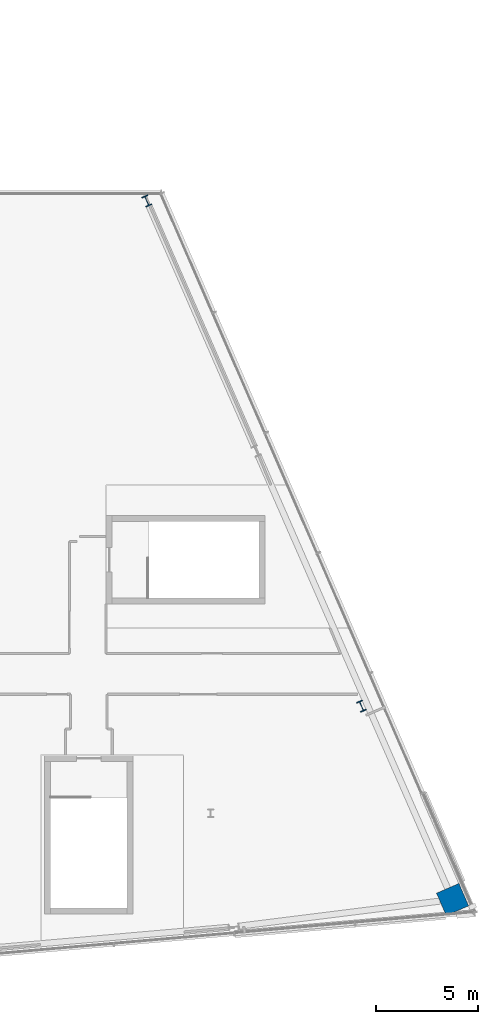
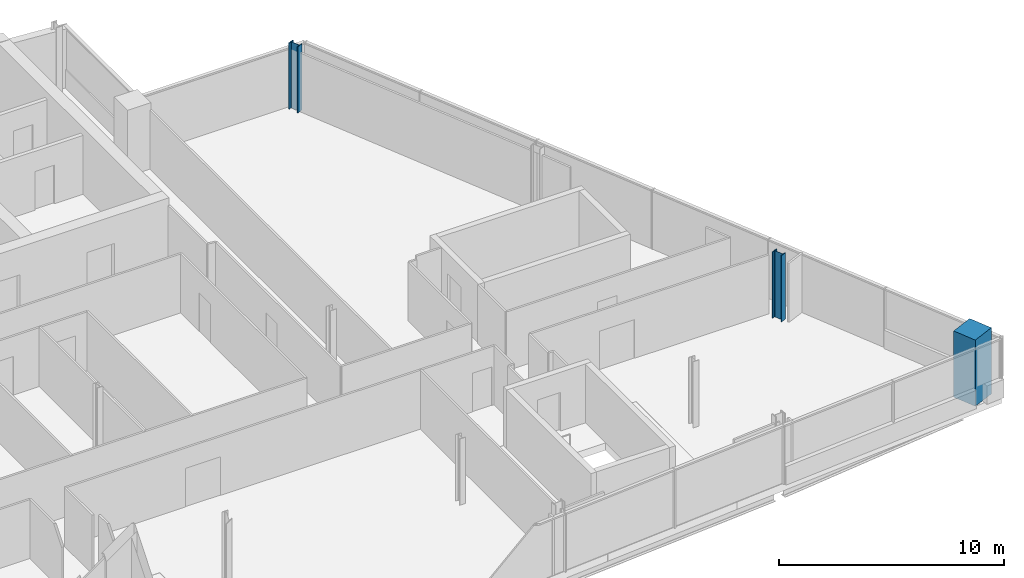
# One storey, part 4 of 19: 3 columns.
"""IFC4 building model written with IfcOpenShell, lengths in metres."""

from ifc_helpers import new_model, si_unit, direction, frame, origin, origin_2d, place, context, subcontext, project, spatial, rectangle, i_section, extrude, material, material_profile, profile_set, type_object, element, save


model = new_model("IFC4")

# Units and contexts
model_context = context("Model", 3, precision=1e-05, world=origin(), true_north=direction((0.0, 1.0)))
body_context = subcontext(model_context, "Body", "Model", "MODEL_VIEW")
ifc_project = project(units=[si_unit("LENGTHUNIT", "METRE"), si_unit("AREAUNIT", "SQUARE_METRE"), si_unit("VOLUMEUNIT", "CUBIC_METRE"), si_unit("PLANEANGLEUNIT", "RADIAN"), si_unit("MASSUNIT", "GRAM", prefix="KILO")], contexts=[model_context])

# Site, building, storey
site_placement = place(None, origin())
site = spatial("IfcSite", under=ifc_project, at=site_placement, CompositionType="ELEMENT")
building_placement = place(site_placement, origin())
building = spatial("IfcBuilding", under=site, at=building_placement, Name="Wharfspan Tower", CompositionType="ELEMENT")
storey_placement = place(building_placement, frame((0.0, 0.0, 257.5)))
storey = spatial("IfcBuildingStorey", under=building, at=storey_placement, Name="L65", CompositionType="ELEMENT", Elevation=257.5)

# Columns
ifc_material_1 = material(Name="Steel S355J2", Category="steel")
ifc_material_profile_1 = material_profile(ifc_material_1, i_section(OverallWidth=0.305908, OverallDepth=0.523926, WebThickness=0.020996, FlangeThickness=0.040039, FilletRadius=0.0271, at=origin_2d()))
ifc_profile_set_1 = profile_set([ifc_material_profile_1], Name="Steel S355J2")
column_type_1 = type_object("IfcColumnType", Name="Column HEM 500", PredefinedType="COLUMN", material=ifc_profile_set_1)
for number, where, z_axis, x_axis, name in (
    (1, (79.409668, 16.761719, 0.0), (0.0, 0.0, 1.0), (0.917072, 0.398727, 0.0), "Perimeter column PE.1 L65"),
    (2, (68.867188, 41.572266, 0.0), (0.0, 0.0, 1.0), (0.917072, 0.398727, 0.0), "Perimeter column PE.3 L65"),
):
    element("IfcColumn", number, at=place(storey_placement, frame(where, z_axis=z_axis, x_axis=x_axis)), inside=storey, type_object=column_type_1, Name=name, PredefinedType="COLUMN", context=body_context, shape_type="SweptSolid", body=[
        extrude(i_section(OverallWidth=0.305908, OverallDepth=0.523926, WebThickness=0.020996, FlangeThickness=0.040039, FilletRadius=0.0271, at=origin_2d()), origin(), (0.0, 0.0, 1.0), 3.600098),
    ])
ifc_material_2 = material(Name="Concrete C50/60", Category="concrete")
ifc_material_profile_2 = material_profile(ifc_material_2, rectangle(XDim=1.199951, YDim=1.199951, at=origin_2d()))
ifc_profile_set_2 = profile_set([ifc_material_profile_2], Name="Concrete C50/60")
column_type_2 = type_object("IfcColumnType", Name="Mega column 1200 C50/60", PredefinedType="COLUMN", material=ifc_profile_set_2)
column_placement = place(storey_placement, frame((83.882812, 7.264648, 0.0), z_axis=(0.0, 0.0, 1.0), x_axis=(-0.398727, 0.917072, 0.0)))
element("IfcColumn", 3, at=column_placement, inside=storey, type_object=column_type_2, Name="Mega column MC4 L65", PredefinedType="COLUMN", context=body_context, shape_type="SweptSolid", body=[
    extrude(rectangle(XDim=1.199951, YDim=1.199951, at=origin_2d()), origin(), (0.0, 0.0, 1.0), 3.600098),
])

save(model, "model.ifc")
